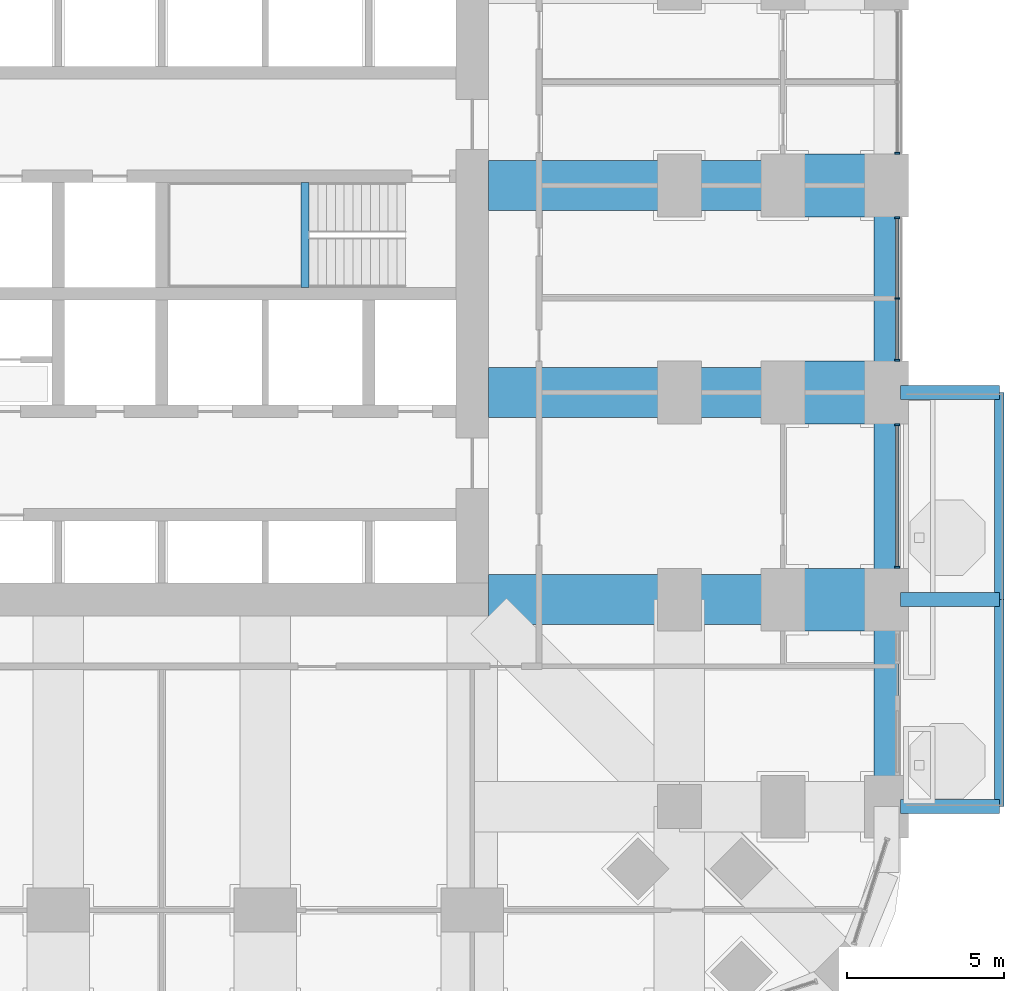
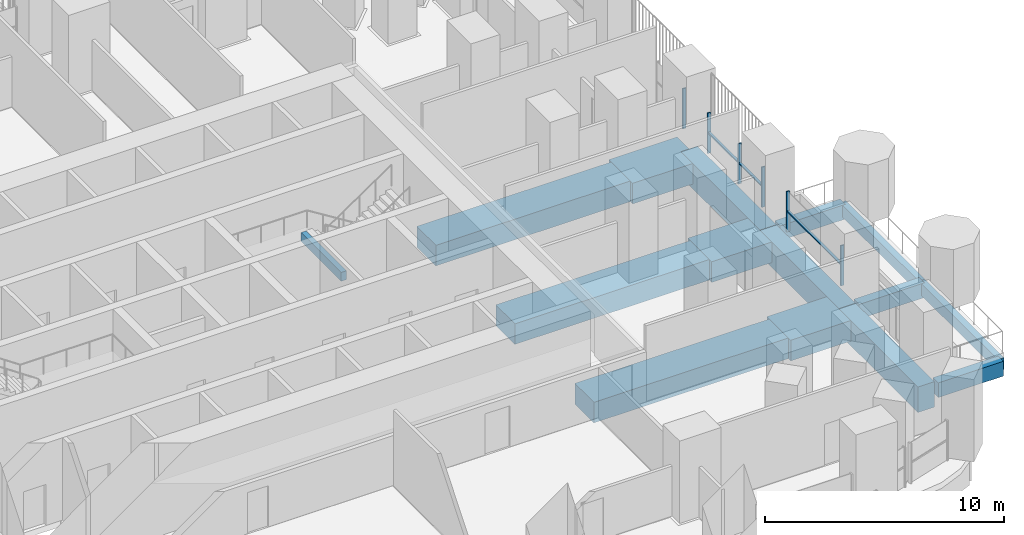
# One storey, part 6 of 27: 15 beams, 9 members, 3 elements without a shape of their own.
"""IFC4 building model written with IfcOpenShell, lengths in metres."""

import ifcopenshell
import ifcopenshell.guid

model = None  # the IFC model being written
_history = None  # IfcOwnerHistory: only IFC2X3 demands one
_inside = {}  # id of a spatial element -> (the spatial element, [elements in it])
_under = {}  # id of a project, library or spatial element -> (it, [spatial elements below it])
_declared = {}  # id of a project -> (the project, [libraries it declares])
_typed = {}  # id of a type object -> (the type object, [elements of that type])
_made_of = {}  # id of a material, layer set ... -> (it, [elements and type objects made of it])


def new_model(schema):
    """Start an empty IFC model of exactly this schema.

    Asked for "IFC4X3", IfcOpenShell would pick the latest addendum, in which some entities
    have other attributes; the version numbers below select the first issue.
    IFC2X3 requires an IfcOwnerHistory on every rooted entity: one is made here for all.
    """
    global model, _history
    if schema == "IFC4X3":
        model = ifcopenshell.file(schema_version=(4, 3, 0, 0))
    else:
        model = ifcopenshell.file(schema=schema)
    _inside.clear()
    _under.clear()
    _declared.clear()
    _typed.clear()
    _made_of.clear()
    _history = None
    if model.schema == "IFC2X3":
        org = make("IfcOrganization", Name="unknown")
        user = make(
            "IfcPersonAndOrganization",
            ThePerson=make("IfcPerson", FamilyName="unknown"),
            TheOrganization=org,
        )
        app = make(
            "IfcApplication",
            ApplicationDeveloper=org,
            Version="unknown",
            ApplicationFullName="unknown",
            ApplicationIdentifier="unknown",
        )
        _history = make(
            "IfcOwnerHistory",
            OwningUser=user,
            OwningApplication=app,
            ChangeAction="ADDED",
            CreationDate=0,
        )
    return model


def make(cls, **values):
    """One entity of the class cls with the attributes given. An attribute that is None is left unset."""
    return model.create_entity(
        cls, **{name: value for name, value in values.items() if value is not None}
    )


def rooted(cls, **values):
    """An entity with a GlobalId (a new one), such as an element, a storey or a relation."""
    return make(cls, GlobalId=ifcopenshell.guid.new(), OwnerHistory=_history, **values)


def si_unit(unit_type, name, prefix=None):
    """IfcSIUnit, for example si_unit("LENGTHUNIT", "METRE", prefix="MILLI")."""
    return make("IfcSIUnit", UnitType=unit_type, Prefix=prefix, Name=name)


def assignment(units):
    """IfcUnitAssignment: the units of a project."""
    return None if units is None else make("IfcUnitAssignment", Units=units)


def point(xyz):
    """IfcCartesianPoint."""
    return None if xyz is None else make("IfcCartesianPoint", Coordinates=xyz)


def direction(xyz):
    """IfcDirection."""
    return None if xyz is None else make("IfcDirection", DirectionRatios=xyz)


def frame(location, z_axis=None, x_axis=None):
    """IfcAxis2Placement3D, a coordinate frame: its origin and axes. An axis left out is left unset."""
    return make(
        "IfcAxis2Placement3D",
        Location=point(location),
        Axis=direction(z_axis),
        RefDirection=direction(x_axis),
    )


def frame_2d(location, x_axis=None):
    """IfcAxis2Placement2D, a coordinate frame in the plane: its origin and x axis."""
    return make(
        "IfcAxis2Placement2D", Location=point(location), RefDirection=direction(x_axis)
    )


def origin():
    """The frame at (0, 0, 0) with its axes left unset."""
    return frame((0.0, 0.0, 0.0))


def origin_2d():
    """The frame at (0, 0) in the plane with its x axis left unset."""
    return frame_2d((0.0, 0.0))


def place(relative_to, where):
    """IfcLocalPlacement: puts the frame where relative to a parent placement (None: the world)."""
    return make(
        "IfcLocalPlacement", PlacementRelTo=relative_to, RelativePlacement=where
    )


def context(
    kind, dimensions, precision=None, world=None, true_north=None, identifier=None
):
    """IfcGeometricRepresentationContext, for example the 3D "Model" context."""
    return make(
        "IfcGeometricRepresentationContext",
        ContextIdentifier=identifier,
        ContextType=kind,
        CoordinateSpaceDimension=dimensions,
        Precision=precision,
        WorldCoordinateSystem=world,
        TrueNorth=true_north,
    )


def subcontext(parent, identifier, kind, view, scale=None):
    """IfcGeometricRepresentationSubContext, for example "Body" below "Model"."""
    return make(
        "IfcGeometricRepresentationSubContext",
        ContextIdentifier=identifier,
        ContextType=kind,
        ParentContext=parent,
        TargetScale=scale,
        TargetView=view,
    )


def project(units=None, contexts=None):
    """IfcProject with its units and contexts."""
    return rooted(
        "IfcProject",
        Name="project",
        RepresentationContexts=contexts,
        UnitsInContext=assignment(units),
    )


def spatial(cls, under=None, at=None, **own):
    """A site, building, storey or space (cls), placed at a placement, below another one or the project."""
    s = rooted(cls, ObjectPlacement=at, **own)
    if under is not None:
        _under.setdefault(under.id(), (under, []))[1].append(s)
    return s


def profile(cls, at=None, kind="AREA", **sizes):
    """A parametric profile (cls). Its sizes go by their IFC names, for example OverallWidth=200.0."""
    return make(cls, ProfileType=kind, Position=at, **sizes)


def rectangle(**sizes):
    """IfcRectangleProfileDef."""
    return profile("IfcRectangleProfileDef", **sizes)


def extrude(swept, where, along, depth):
    """IfcExtrudedAreaSolid: the profile swept, set in the frame where, extruded along a direction by depth."""
    return make(
        "IfcExtrudedAreaSolid",
        SweptArea=swept,
        Position=where,
        ExtrudedDirection=direction(along),
        Depth=depth,
    )


def shape(context_of_items, identifier, shape_type, items):
    """IfcShapeRepresentation: the items that make up one representation, for example the "Body"."""
    return make(
        "IfcShapeRepresentation",
        ContextOfItems=context_of_items,
        RepresentationIdentifier=identifier,
        RepresentationType=shape_type,
        Items=items,
    )


def material(Name=None, Category=None):
    """IfcMaterial."""
    return make("IfcMaterial", Name=Name, Category=Category)


def material_profile(
    of_material, cross_section, Name=None, Category=None, Priority=None
):
    """IfcMaterialProfile: a cross section and its material."""
    return make(
        "IfcMaterialProfile",
        Name=Name,
        Material=of_material,
        Profile=cross_section,
        Priority=Priority,
        Category=Category,
    )


def profile_set(profiles, Name=None, composite=None):
    """IfcMaterialProfileSet."""
    return make(
        "IfcMaterialProfileSet",
        Name=Name,
        MaterialProfiles=profiles,
        CompositeProfile=composite,
    )


def made_of(thing, what):
    """Note that an element or type object is made of a material, layer set ...; save() writes the relation."""
    if what is not None:
        _made_of.setdefault(what.id(), (what, []))[1].append(thing)
    return thing


def type_object(cls, material=None, **own):
    """A type object (cls), such as IfcWallType, which elements share."""
    return made_of(rooted(cls, **own), material)


def element(
    cls,
    number,
    at=None,
    inside=None,
    cuts=None,
    type_object=None,
    material=None,
    context=None,
    identifier="Body",
    shape_type=None,
    held_by="IfcProductDefinitionShape",
    body=None,
    shapes=None,
    **own,
):
    """One element of the class cls, such as IfcWall. Its Tag is "e" and its number.

    at: its placement. inside: the storey or other place that contains it. cuts: it is an
    opening in that element (IfcRelVoidsElement). A single representation is given by context,
    identifier, shape_type and body (its items); several are given by shapes. held_by: the class
    of the entity that holds the representations. save() writes the other relations.
    """
    e = rooted(cls, Tag="e%d" % number, ObjectPlacement=at, **own)
    if body is not None:
        shapes = [shape(context, identifier, shape_type, body)]
    if shapes is not None:
        e.Representation = make(held_by, Representations=shapes)
    if inside is not None:
        _inside.setdefault(inside.id(), (inside, []))[1].append(e)
    if cuts is not None:
        rooted(
            "IfcRelVoidsElement", RelatingBuildingElement=cuts, RelatedOpeningElement=e
        )
    if type_object is not None:
        _typed.setdefault(type_object.id(), (type_object, []))[1].append(e)
    return made_of(e, material)


def aggregate(whole, parts):
    """IfcRelAggregates: a whole, such as a stair, and the parts it consists of."""
    return rooted("IfcRelAggregates", RelatingObject=whole, RelatedObjects=parts)


def save(model, path):
    """Write the relations noted so far, then the file.

    IfcRelAggregates (storeys below a building ...), IfcRelContainedInSpatialStructure (elements
    in a storey), IfcRelDefinesByType, IfcRelAssociatesMaterial and IfcRelDeclares: one each for
    every whole, place, type object, material and project.
    """
    for whole, parts in _under.values():
        aggregate(whole, parts)
    for where, things in _inside.values():
        rooted(
            "IfcRelContainedInSpatialStructure",
            RelatedElements=things,
            RelatingStructure=where,
        )
    for kind, things in _typed.values():
        rooted("IfcRelDefinesByType", RelatedObjects=things, RelatingType=kind)
    for what, things in _made_of.values():
        rooted("IfcRelAssociatesMaterial", RelatedObjects=things, RelatingMaterial=what)
    for by, libraries in _declared.values():
        rooted("IfcRelDeclares", RelatingContext=by, RelatedDefinitions=libraries)
    model.write(path)


model = new_model("IFC4")

# Units and contexts
model_context = context("Model", 3, precision=1e-05, world=origin(), true_north=direction((0.0, 1.0)))
body_context = subcontext(model_context, "Body", "Model", "MODEL_VIEW")
ifc_project = project(units=[si_unit("LENGTHUNIT", "METRE"), si_unit("AREAUNIT", "SQUARE_METRE"), si_unit("VOLUMEUNIT", "CUBIC_METRE"), si_unit("PLANEANGLEUNIT", "RADIAN"), si_unit("MASSUNIT", "GRAM", prefix="KILO")], contexts=[model_context])

# Site, building, storey
site_placement = place(None, origin())
site = spatial("IfcSite", under=ifc_project, at=site_placement, CompositionType="ELEMENT")
building_placement = place(site_placement, origin())
building = spatial("IfcBuilding", under=site, at=building_placement, Name="Cobogo Forest Laboratory Tower", CompositionType="ELEMENT")
storey_placement = place(building_placement, frame((0.0, 0.0, 71.699951171875)))
storey = spatial("IfcBuildingStorey", under=building, at=storey_placement, Name="L16", CompositionType="ELEMENT", Elevation=71.699951171875)

# Beams
ifc_material_1 = material(Name="Concrete HA-40 (C40/50)", Category="concrete")
ifc_material_profile_1 = material_profile(ifc_material_1, rectangle(XDim=0.449951171875, YDim=0.75, at=origin_2d()), Name="RC 450x750")
ifc_profile_set_1 = profile_set([ifc_material_profile_1], Name="Concrete HA-40 (C40/50)")
beam_type_1 = type_object("IfcBeamType", Name="Balcony cantilever beam 450x750", PredefinedType="BEAM", material=ifc_profile_set_1)
for number, where, z_axis, x_axis, name in (
    (1, (53.25, 6.60009765625, -0.625), (1.0, 0.0, 0.0), (0.0, 1.0, 0.0), "CB1 BAL-E1-C1 L16"),
    (2, (53.25, 13.199951171875, -0.625), (1.0, 0.0, 0.0), (0.0, 1.0, 0.0), "CB1 BAL-E1-C2 L16"),
    (3, (53.25, 19.800048828125, -0.625), (1.0, 0.0, 0.0), (0.0, 1.0, 0.0), "CB1 BAL-E1-C3 L16"),
):
    element("IfcBeam", number, at=place(storey_placement, frame(where, z_axis=z_axis, x_axis=x_axis)), inside=storey, type_object=beam_type_1, Name=name, PredefinedType="BEAM", context=body_context, shape_type="SweptSolid", body=[
        extrude(rectangle(XDim=0.449951171875, YDim=0.75, at=origin_2d()), origin(), (0.0, 0.0, 1.0), 3.14990234375),
    ])
ifc_material_profile_2 = material_profile(ifc_material_1, rectangle(XDim=0.300048828125, YDim=0.60009765625, at=origin_2d()), Name="RC 300x600")
ifc_profile_set_2 = profile_set([ifc_material_profile_2], Name="Concrete HA-40 (C40/50)")
beam_type_2 = type_object("IfcBeamType", Name="Balcony edge beam 300x600", PredefinedType="BEAM", material=ifc_profile_set_2)
beam_1_placement = place(storey_placement, frame((56.39990234375, 6.60009765625, -0.550048828125), z_axis=(0.0, 1.0, 0.0), x_axis=(-1.0, 0.0, 0.0)))
element("IfcBeam", 4, at=beam_1_placement, inside=storey, type_object=beam_type_2, Name="BB1 BAL-E1-T1 L16", PredefinedType="BEAM", context=body_context, shape_type="SweptSolid", body=[
    extrude(rectangle(XDim=0.300048828125, YDim=0.60009765625, at=origin_2d()), origin(), (0.0, 0.0, 1.0), 6.599853515625),
])
beam_2_placement = place(storey_placement, frame((56.39990234375, 13.199951171875, -0.550048828125), z_axis=(0.0, 1.0, 0.0), x_axis=(-1.0, 0.0, 0.0)))
element("IfcBeam", 5, at=beam_2_placement, inside=storey, type_object=beam_type_2, Name="BB1 BAL-E1-T2 L16", PredefinedType="BEAM", context=body_context, shape_type="SweptSolid", body=[
    extrude(rectangle(XDim=0.300048828125, YDim=0.60009765625, at=origin_2d()), origin(), (0.0, 0.0, 1.0), 6.60009765625),
])
ifc_material_2 = material(Name="Concrete HA-50 (C50/60)", Category="concrete")
ifc_material_profile_3 = material_profile(ifc_material_2, rectangle(XDim=2.0, YDim=1.050048828125, at=origin_2d()), Name="RC 2000x1050")
ifc_profile_set_3 = profile_set([ifc_material_profile_3], Name="Concrete HA-50 (C50/60)")
beam_type_3 = type_object("IfcBeamType", Name="End-bay wide beam 2000x1050", PredefinedType="BEAM", material=ifc_profile_set_3)
for number, where, z_axis, x_axis, name in (
    (6, (52.800048828125, 13.199951171875, -0.824951171875), (-1.0, 0.0, 0.0), (0.0, -1.0, 0.0), "RB7 R-C-E-X L16"),
    (7, (52.800048828125, 19.800048828125, -0.824951171875), (-1.0, 0.0, 0.0), (0.0, -1.0, 0.0), "RB7 R-D-E-X L16"),
    (8, (52.800048828125, 26.39990234375, -0.824951171875), (-1.0, 0.0, 0.0), (0.0, -1.0, 0.0), "RB7 R-E-E-X L16"),
):
    element("IfcBeam", number, at=place(storey_placement, frame(where, z_axis=z_axis, x_axis=x_axis)), inside=storey, type_object=beam_type_3, Name=name, PredefinedType="BEAM", context=body_context, shape_type="SweptSolid", body=[
        extrude(rectangle(XDim=2.0, YDim=1.050048828125, at=origin_2d()), origin(), (0.0, 0.0, 1.0), 3.300048828125),
    ])
ifc_material_profile_4 = material_profile(ifc_material_1, rectangle(XDim=0.25, YDim=0.449951171875, at=origin_2d()), Name="RC 250x450")
ifc_profile_set_4 = profile_set([ifc_material_profile_4], Name="Concrete HA-40 (C40/50)")
beam_type_4 = type_object("IfcBeamType", Name="LB1 landing beam 250x450", PredefinedType="BEAM", material=ifc_profile_set_4)
beam_3_placement = place(storey_placement, frame((34.27001953125, 23.14990234375, 1.675048828125), z_axis=(0.0, 1.0, 0.0), x_axis=(-1.0, 0.0, 0.0)))
element("IfcBeam", 9, at=beam_3_placement, inside=storey, type_object=beam_type_4, Name="Landing beam ST2 L16", PredefinedType="BEAM", context=body_context, shape_type="SweptSolid", body=[
    extrude(rectangle(XDim=0.25, YDim=0.449951171875, at=origin_2d()), origin(), (0.0, 0.0, 1.0), 3.35009765625),
])
ifc_material_profile_5 = material_profile(ifc_material_2, rectangle(XDim=1.60009765625, YDim=1.050048828125, at=origin_2d()), Name="RC 1600x1050")
ifc_profile_set_5 = profile_set([ifc_material_profile_5], Name="Concrete HA-50 (C50/60)")
beam_type_5 = type_object("IfcBeamType", Name="Laboratory floor wide beam 1600x1050", PredefinedType="BEAM", material=ifc_profile_set_5)
for number, where, z_axis, x_axis, name in (
    (10, (40.125, 13.199951171875, -0.824951171875), (1.0, 0.0, 0.0), (0.0, 1.0, 0.0), "RB8 R-C-E L16"),
    (11, (40.125, 19.800048828125, -0.824951171875), (1.0, 0.0, 0.0), (0.0, 1.0, 0.0), "RB8 R-D-E L16"),
    (12, (40.125, 26.39990234375, -0.824951171875), (1.0, 0.0, 0.0), (0.0, 1.0, 0.0), "RB8 R-E-E L16"),
):
    element("IfcBeam", number, at=place(storey_placement, frame(where, z_axis=z_axis, x_axis=x_axis)), inside=storey, type_object=beam_type_5, Name=name, PredefinedType="BEAM", context=body_context, shape_type="SweptSolid", body=[
        extrude(rectangle(XDim=1.60009765625, YDim=1.050048828125, at=origin_2d()), origin(), (0.0, 0.0, 1.0), 9.375),
    ])

# Curtain wall, members
ifc_material_3 = material(Name="Aluminium curtain wall", Category="aluminium")
curtain_wall_type = type_object("IfcCurtainWallType", Name="CW-1 unitised curtain wall, clear glazing, laboratory floors zones A and B", PredefinedType="USERDEFINED", material=ifc_material_3)
curtain_wall_1_placement = place(storey_placement, origin())
curtain_wall_1 = element("IfcCurtainWall", 13, at=curtain_wall_1_placement, inside=storey, type_object=curtain_wall_type, Name="Curtain wall 11 L16", ObjectType="UNITISED CURTAIN WALL", PredefinedType="USERDEFINED")
ifc_material_4 = material(Name="Aluminium mullion", Category="aluminium")
ifc_material_profile_6 = material_profile(ifc_material_4, rectangle(XDim=0.06005859375, YDim=0.159912109375, at=origin_2d()), Name="AL 60x160")
ifc_profile_set_6 = profile_set([ifc_material_profile_6], Name="Aluminium mullion")
member_type_1 = type_object("IfcMemberType", Name="MU-1 aluminium mullion 60x160", PredefinedType="MULLION", material=ifc_profile_set_6)
member_1_placement = place(storey_placement, frame((53.14990234375, 14.22998046875, 0.0), z_axis=(0.0, 0.0, 1.0), x_axis=(0.0, 1.0, 0.0)))
member_1 = element("IfcMember", 14, at=member_1_placement, type_object=member_type_1, Name="CW-1 mullion 1", PredefinedType="MULLION", context=body_context, shape_type="SweptSolid", body=[
    extrude(rectangle(XDim=0.06005859375, YDim=0.159912109375, at=origin_2d()), origin(), (0.0, 0.0, 1.0), 2.050048828125),
])
member_2_placement = place(storey_placement, frame((53.14990234375, 18.77001953125, 0.0), z_axis=(0.0, 0.0, 1.0), x_axis=(0.0, 1.0, 0.0)))
member_2 = element("IfcMember", 15, at=member_2_placement, type_object=member_type_1, Name="CW-1 mullion 2", PredefinedType="MULLION", context=body_context, shape_type="SweptSolid", body=[
    extrude(rectangle(XDim=0.06005859375, YDim=0.159912109375, at=origin_2d()), origin(), (0.0, 0.0, 1.0), 2.050048828125),
])

curtain_wall_2_placement = place(storey_placement, origin())
curtain_wall_2 = element("IfcCurtainWall", 16, at=curtain_wall_2_placement, inside=storey, type_object=curtain_wall_type, Name="Curtain wall 12 L16", ObjectType="UNITISED CURTAIN WALL", PredefinedType="USERDEFINED")
member_3_placement = place(storey_placement, frame((53.14990234375, 20.830078125, 0.0), z_axis=(0.0, 0.0, 1.0), x_axis=(0.0, 1.0, 0.0)))
member_3 = element("IfcMember", 17, at=member_3_placement, type_object=member_type_1, Name="CW-1 mullion 1", PredefinedType="MULLION", context=body_context, shape_type="SweptSolid", body=[
    extrude(rectangle(XDim=0.06005859375, YDim=0.159912109375, at=origin_2d()), origin(), (0.0, 0.0, 1.0), 2.050048828125),
])
member_4_placement = place(storey_placement, frame((53.14990234375, 22.800048828125, 0.0), z_axis=(0.0, 0.0, 1.0), x_axis=(0.0, 1.0, 0.0)))
member_4 = element("IfcMember", 18, at=member_4_placement, type_object=member_type_1, Name="CW-1 mullion 2", PredefinedType="MULLION", context=body_context, shape_type="SweptSolid", body=[
    extrude(rectangle(XDim=0.06005859375, YDim=0.159912109375, at=origin_2d()), origin(), (0.0, 0.0, 1.0), 2.050048828125),
])
member_5_placement = place(storey_placement, frame((53.14990234375, 25.3701171875, 0.0), z_axis=(0.0, 0.0, 1.0), x_axis=(0.0, 1.0, 0.0)))
member_5 = element("IfcMember", 19, at=member_5_placement, type_object=member_type_1, Name="CW-1 mullion 3", PredefinedType="MULLION", context=body_context, shape_type="SweptSolid", body=[
    extrude(rectangle(XDim=0.06005859375, YDim=0.159912109375, at=origin_2d()), origin(), (0.0, 0.0, 1.0), 2.050048828125),
])

# Curtain wall, member
curtain_wall_3_placement = place(storey_placement, origin())
curtain_wall_3 = element("IfcCurtainWall", 20, at=curtain_wall_3_placement, inside=storey, type_object=curtain_wall_type, Name="Curtain wall 13 L16", ObjectType="UNITISED CURTAIN WALL", PredefinedType="USERDEFINED")
member_6_placement = place(storey_placement, frame((53.14990234375, 27.429931640625, 0.0), z_axis=(0.0, 0.0, 1.0), x_axis=(0.0, 1.0, 0.0)))
member_6 = element("IfcMember", 21, at=member_6_placement, type_object=member_type_1, Name="CW-1 mullion 1", PredefinedType="MULLION", context=body_context, shape_type="SweptSolid", body=[
    extrude(rectangle(XDim=0.06005859375, YDim=0.159912109375, at=origin_2d()), origin(), (0.0, 0.0, 1.0), 2.050048828125),
])
aggregate(curtain_wall_3, [member_6])

# Beams
ifc_material_profile_7 = material_profile(ifc_material_1, rectangle(XDim=0.800048828125, YDim=1.300048828125, at=origin_2d()), Name="RC 800x1300")
ifc_profile_set_7 = profile_set([ifc_material_profile_7], Name="Concrete HA-40 (C40/50)")
beam_type_6 = type_object("IfcBeamType", Name="Perimeter edge beam 800x1300", PredefinedType="BEAM", material=ifc_profile_set_7)
beam_4_placement = place(storey_placement, frame((52.800048828125, 6.60009765625, -0.949951171875), z_axis=(0.0, 1.0, 0.0), x_axis=(-1.0, 0.0, 0.0)))
element("IfcBeam", 22, at=beam_4_placement, inside=storey, type_object=beam_type_6, Name="EB2 E-E1 L16", PredefinedType="BEAM", context=body_context, shape_type="SweptSolid", body=[
    extrude(rectangle(XDim=0.800048828125, YDim=1.300048828125, at=origin_2d()), origin(), (0.0, 0.0, 1.0), 6.599853515625),
])
beam_5_placement = place(storey_placement, frame((52.800048828125, 13.199951171875, -0.949951171875), z_axis=(0.0, 1.0, 0.0), x_axis=(-1.0, 0.0, 0.0)))
element("IfcBeam", 23, at=beam_5_placement, inside=storey, type_object=beam_type_6, Name="EB2 E-E2 L16", PredefinedType="BEAM", context=body_context, shape_type="SweptSolid", body=[
    extrude(rectangle(XDim=0.800048828125, YDim=1.300048828125, at=origin_2d()), origin(), (0.0, 0.0, 1.0), 6.60009765625),
])
beam_6_placement = place(storey_placement, frame((52.800048828125, 19.800048828125, -0.949951171875), z_axis=(0.0, 1.0, 0.0), x_axis=(-1.0, 0.0, 0.0)))
element("IfcBeam", 24, at=beam_6_placement, inside=storey, type_object=beam_type_6, Name="EB2 E-E3 L16", PredefinedType="BEAM", context=body_context, shape_type="SweptSolid", body=[
    extrude(rectangle(XDim=0.800048828125, YDim=1.300048828125, at=origin_2d()), origin(), (0.0, 0.0, 1.0), 6.599853515625),
])

# Member
ifc_material_5 = material(Name="Aluminium transom", Category="aluminium")
ifc_material_profile_8 = material_profile(ifc_material_5, rectangle(XDim=0.1201171875, YDim=0.06005859375, at=origin_2d()), Name="AL 60x120")
ifc_profile_set_8 = profile_set([ifc_material_profile_8], Name="Aluminium transom")
member_type_2 = type_object("IfcMemberType", Name="TR-1 aluminium transom 60x120", PredefinedType="USERDEFINED", material=ifc_profile_set_8)
member_7_placement = place(storey_placement, frame((53.14990234375, 14.260009765625, 1.050048828125), z_axis=(0.0, 1.0, 0.0), x_axis=(-1.0, 0.0, 0.0)))
member_7 = element("IfcMember", 25, at=member_7_placement, type_object=member_type_2, Name="CW-1 transom 1.1", ObjectType="TRANSOM", PredefinedType="USERDEFINED", context=body_context, shape_type="SweptSolid", body=[
    extrude(rectangle(XDim=0.1201171875, YDim=0.06005859375, at=origin_2d()), origin(), (0.0, 0.0, 1.0), 4.47998046875),
])

aggregate(curtain_wall_1, [member_1, member_2, member_7])

member_8_placement = place(storey_placement, frame((53.14990234375, 20.860107421875, 1.050048828125), z_axis=(0.0, 1.0, 0.0), x_axis=(-1.0, 0.0, 0.0)))
member_8 = element("IfcMember", 26, at=member_8_placement, type_object=member_type_2, Name="CW-1 transom 1.1", ObjectType="TRANSOM", PredefinedType="USERDEFINED", context=body_context, shape_type="SweptSolid", body=[
    extrude(rectangle(XDim=0.1201171875, YDim=0.06005859375, at=origin_2d()), origin(), (0.0, 0.0, 1.0), 1.909912109375),
])

member_9_placement = place(storey_placement, frame((53.14990234375, 22.830078125, 1.050048828125), z_axis=(0.0, 1.0, 0.0), x_axis=(-1.0, 0.0, 0.0)))
member_9 = element("IfcMember", 27, at=member_9_placement, type_object=member_type_2, Name="CW-1 transom 2.1", ObjectType="TRANSOM", PredefinedType="USERDEFINED", context=body_context, shape_type="SweptSolid", body=[
    extrude(rectangle(XDim=0.1201171875, YDim=0.06005859375, at=origin_2d()), origin(), (0.0, 0.0, 1.0), 2.510009765625),
])

aggregate(curtain_wall_2, [member_3, member_4, member_5, member_8, member_9])

save(model, "model.ifc")
